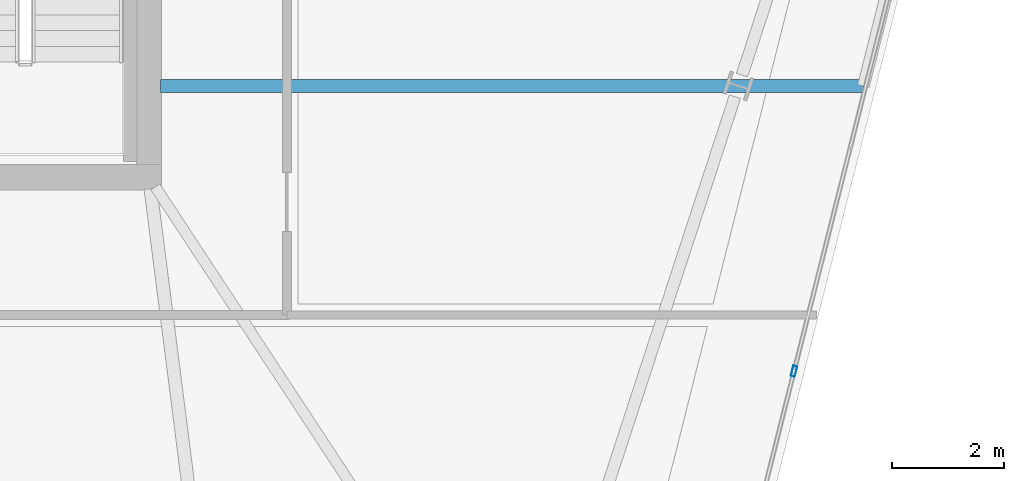
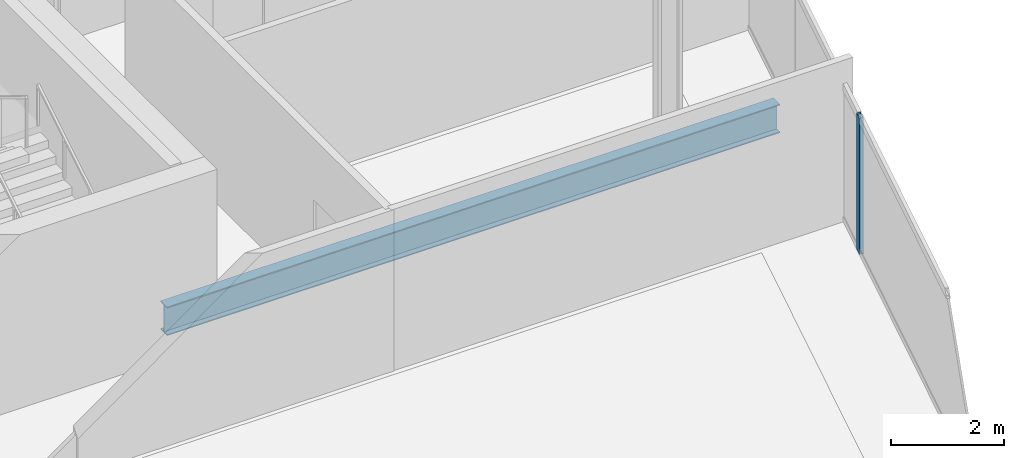
# One storey, part 10 of 28: 1 beam, 1 member, 1 element without a shape of its own.
"""IFC4 building model written with IfcOpenShell, lengths in metres."""

from ifc_helpers import new_model, si_unit, direction, frame, origin, origin_2d, place, context, subcontext, project, spatial, hollow_rectangle, i_section, extrude, material, material_profile, profile_set, type_object, element, aggregate, save


model = new_model("IFC4")

# Units and contexts
model_context = context("Model", 3, precision=1e-05, world=origin(), true_north=direction((0.0, 1.0)))
body_context = subcontext(model_context, "Body", "Model", "MODEL_VIEW")
ifc_project = project(units=[si_unit("LENGTHUNIT", "METRE"), si_unit("AREAUNIT", "SQUARE_METRE"), si_unit("VOLUMEUNIT", "CUBIC_METRE"), si_unit("PLANEANGLEUNIT", "RADIAN"), si_unit("MASSUNIT", "GRAM", prefix="KILO")], contexts=[model_context])

# Site, building, storey
site_placement = place(None, origin())
site = spatial("IfcSite", under=ifc_project, at=site_placement, CompositionType="ELEMENT")
building_placement = place(site_placement, origin())
building = spatial("IfcBuilding", under=site, at=building_placement, Name="Haldenkirk Collegiate Tower", CompositionType="ELEMENT")
storey_placement = place(building_placement, frame((0.0, 0.0, 282.449951171875)))
storey = spatial("IfcBuildingStorey", under=building, at=storey_placement, Name="L71", CompositionType="ELEMENT", Elevation=282.449951171875)

# Beam
ifc_material_1 = material(Name="Steel ASTM A992 Grade 50", Category="steel")
ifc_material_profile_1 = material_profile(ifc_material_1, i_section(OverallWidth=0.22998046875, OverallDepth=0.616943359375, WebThickness=0.01318359375, FlangeThickness=0.022216796875, at=origin_2d()), Name="W24X94")
ifc_profile_set_1 = profile_set([ifc_material_profile_1], Name="Steel ASTM A992 Grade 50")
beam_type = type_object("IfcBeamType", Name="BM-GIRDER-W24X94", PredefinedType="BEAM", material=ifc_profile_set_1)
beam_placement = place(storey_placement, frame((57.705810546875, 19.624267578125, -0.578369140625), z_axis=(-1.0, 0.0, 0.0), x_axis=(0.0, -1.0, 0.0)))
element("IfcBeam", 1, at=beam_placement, inside=storey, type_object=beam_type, Name="L71 primary floor girder 06", PredefinedType="BEAM", context=body_context, shape_type="SweptSolid", body=[
    extrude(i_section(OverallWidth=0.22998046875, OverallDepth=0.616943359375, WebThickness=0.01318359375, FlangeThickness=0.022216796875, at=origin_2d()), origin(), (0.0, 0.0, 1.0), 12.500732421875),
])

# Curtain wall, member
ifc_material_2 = material(Name="Anodised architectural bronze aluminium", Category="aluminium")
curtain_wall_type = type_object("IfcCurtainWallType", Name="CW-SYS2-CONCAVE", PredefinedType="USERDEFINED", material=ifc_material_2)
curtain_wall_placement = place(storey_placement, origin())
curtain_wall = element("IfcCurtainWall", 2, at=curtain_wall_placement, inside=storey, type_object=curtain_wall_type, Name="L71 South concave recessed bronze-anodised curtain wall", ObjectType="UNITISED CURTAIN WALL", PredefinedType="USERDEFINED")
ifc_material_profile_2 = material_profile(ifc_material_2, hollow_rectangle(XDim=0.074951171875, YDim=0.18994140625, WallThickness=0.0048828125, at=origin_2d()), Name="CW-MUL-02")
ifc_profile_set_2 = profile_set([ifc_material_profile_2], Name="Anodised architectural bronze aluminium")
member_type = type_object("IfcMemberType", Name="CW-MUL-02", PredefinedType="MULLION", material=ifc_profile_set_2)
member_placement = place(storey_placement, frame((56.47265625, 14.551025390625, 0.0), z_axis=(0.0, 0.0, 1.0), x_axis=(0.96987230545, -0.243613856588, 0.0)))
member = element("IfcMember", 3, at=member_placement, type_object=member_type, Name="CW-02 mullion 3", PredefinedType="MULLION", context=body_context, shape_type="SweptSolid", body=[
    extrude(hollow_rectangle(XDim=0.074951171875, YDim=0.18994140625, WallThickness=0.0048828125, at=origin_2d()), origin(), (0.0, 0.0, 1.0), 2.93798828125),
])
aggregate(curtain_wall, [member])

save(model, "model.ifc")
